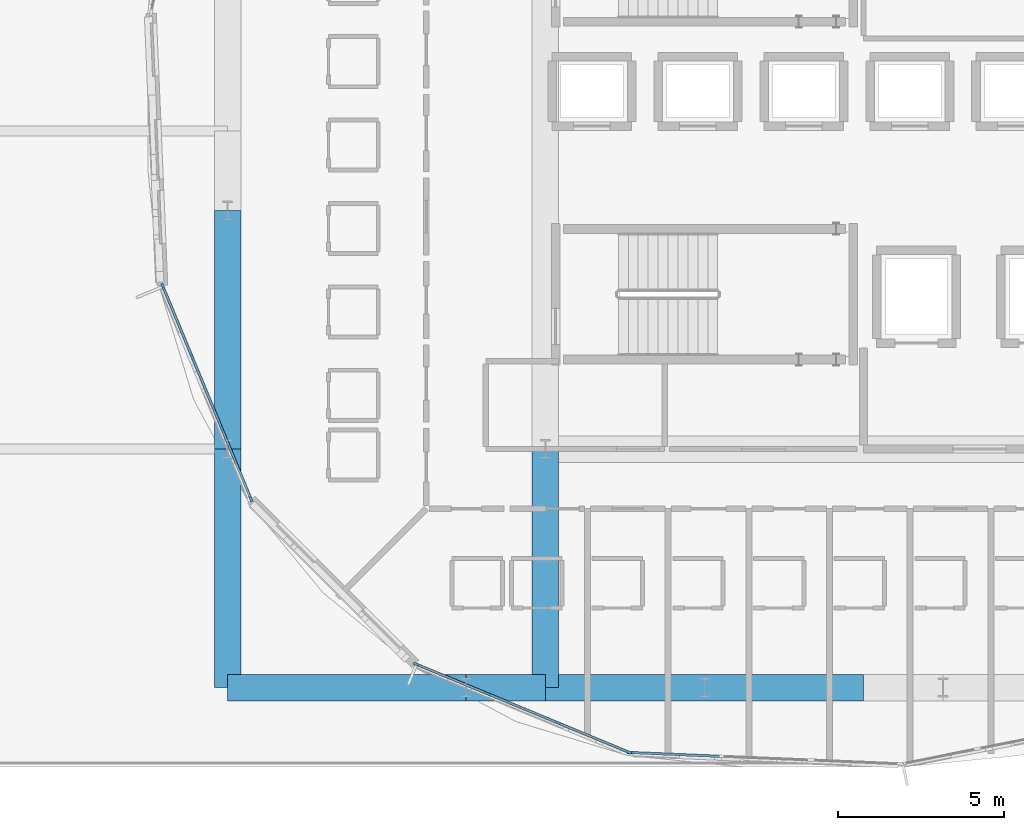
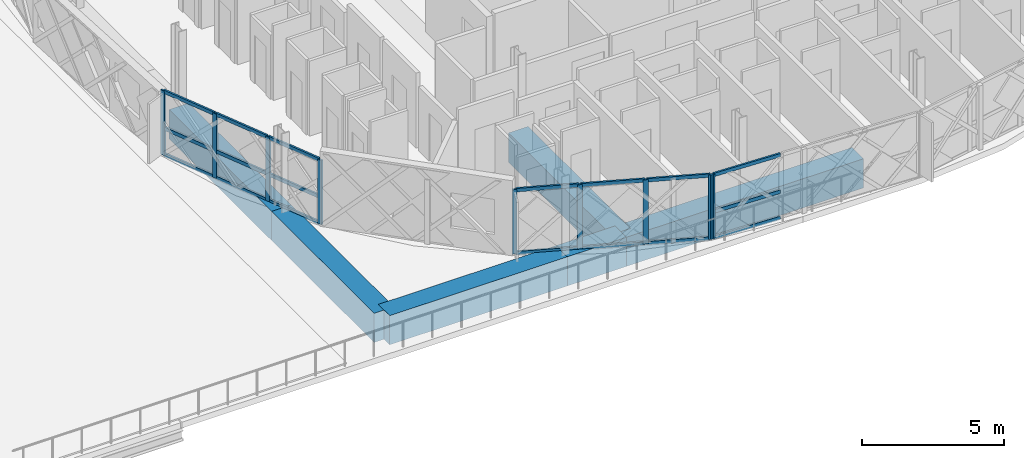
# One storey, part 10 of 53: 27 members, 6 beams, 3 elements without a shape of their own.
"""IFC4 building model written with IfcOpenShell, lengths in metres."""

from ifc_helpers import new_model, si_unit, direction, frame, origin, origin_2d, place, context, subcontext, project, spatial, rectangle, extrude, material, layer, layer_set, material_profile, profile_set, type_object, element, aggregate, save


model = new_model("IFC4")

# Units and contexts
model_context = context("Model", 3, precision=1e-05, world=origin(), true_north=direction((0.0, 1.0)))
body_context = subcontext(model_context, "Body", "Model", "MODEL_VIEW")
ifc_project = project(units=[si_unit("LENGTHUNIT", "METRE"), si_unit("AREAUNIT", "SQUARE_METRE"), si_unit("VOLUMEUNIT", "CUBIC_METRE"), si_unit("PLANEANGLEUNIT", "RADIAN"), si_unit("MASSUNIT", "GRAM", prefix="KILO")], contexts=[model_context])

# Site, building, storey
site_placement = place(None, origin())
site = spatial("IfcSite", under=ifc_project, at=site_placement, CompositionType="ELEMENT")
building_placement = place(site_placement, origin())
building = spatial("IfcBuilding", under=site, at=building_placement, Name="Zevrakil Square Congress Hotel", CompositionType="ELEMENT")
storey_placement = place(building_placement, frame((0.0, 0.0, 14.699951171875)))
storey = spatial("IfcBuildingStorey", under=building, at=storey_placement, Name="L04", CompositionType="ELEMENT", Elevation=14.699951171875)

# Beams
ifc_material_1 = material(Name="Concrete C40/50", Category="concrete")
ifc_material_profile_1 = material_profile(ifc_material_1, rectangle(XDim=0.800048828125, YDim=1.25, at=origin_2d()), Name="RC 800x1250")
ifc_profile_set_1 = profile_set([ifc_material_profile_1], Name="Concrete C40/50")
beam_type = type_object("IfcBeamType", Name="BM-RC800x1250", PredefinedType="BEAM", material=ifc_profile_set_1)
beam_1_placement = place(storey_placement, frame((127.199951171875, 9.60009765625, -0.625), z_axis=(1.0, 0.0, 0.0), x_axis=(0.0, 1.0, 0.0)))
element("IfcBeam", 1, at=beam_1_placement, inside=storey, type_object=beam_type, Name="L04 drum transfer girder TB-001", PredefinedType="BEAM", context=body_context, shape_type="SweptSolid", body=[
    extrude(rectangle(XDim=0.800048828125, YDim=1.25, at=origin_2d()), origin(), (0.0, 0.0, 1.0), 7.199951171875),
])
beam_2_placement = place(storey_placement, frame((134.39990234375, 9.60009765625, -0.625), z_axis=(1.0, 0.0, 0.0), x_axis=(0.0, 1.0, 0.0)))
element("IfcBeam", 2, at=beam_2_placement, inside=storey, type_object=beam_type, Name="L04 drum transfer girder TB-003", PredefinedType="BEAM", context=body_context, shape_type="SweptSolid", body=[
    extrude(rectangle(XDim=0.800048828125, YDim=1.25, at=origin_2d()), origin(), (0.0, 0.0, 1.0), 2.400146484375),
])
beam_3_placement = place(storey_placement, frame((136.800048828125, 9.60009765625, -0.625), z_axis=(1.0, 0.0, 0.0), x_axis=(0.0, 1.0, 0.0)))
element("IfcBeam", 3, at=beam_3_placement, inside=storey, type_object=beam_type, Name="L04 drum transfer girder TB-005", PredefinedType="BEAM", context=body_context, shape_type="SweptSolid", body=[
    extrude(rectangle(XDim=0.800048828125, YDim=1.25, at=origin_2d()), origin(), (0.0, 0.0, 1.0), 9.599853515625),
])
for number, where, z_axis, x_axis, name in (
    (4, (127.199951171875, 9.60009765625, -0.625), (0.0, 1.0, 0.0), (-1.0, 0.0, 0.0), "L04 drum transfer girder TB-011"),
    (5, (127.199951171875, 16.800048828125, -0.625), (0.0, 1.0, 0.0), (-1.0, 0.0, 0.0), "L04 drum transfer girder TB-012"),
    (6, (136.800048828125, 9.60009765625, -0.625), (0.0, 1.0, 0.0), (-1.0, 0.0, 0.0), "L04 drum transfer girder TB-027"),
):
    element("IfcBeam", number, at=place(storey_placement, frame(where, z_axis=z_axis, x_axis=x_axis)), inside=storey, type_object=beam_type, Name=name, PredefinedType="BEAM", context=body_context, shape_type="SweptSolid", body=[
        extrude(rectangle(XDim=0.800048828125, YDim=1.25, at=origin_2d()), origin(), (0.0, 0.0, 1.0), 7.199951171875),
    ])

# Curtain wall, members
ifc_material_2 = material(Name="Aluminium Anodised Bronze", Category="aluminium")
ifc_layer_1 = layer(ifc_material_2, 0.179931640625)
ifc_layer_set_1 = layer_set([ifc_layer_1], Name="Aluminium Anodised Bronze")
curtain_wall_type_1 = type_object("IfcCurtainWallType", Name="CW-L04-720", PredefinedType="USERDEFINED", material=ifc_layer_set_1)
curtain_wall_1_placement = place(storey_placement, origin())
curtain_wall_1 = element("IfcCurtainWall", 7, at=curtain_wall_1_placement, inside=storey, type_object=curtain_wall_type_1, Name="L04 diamond curtain wall CW-L04-0180", ObjectType="GLAZED CURTAIN WALL", PredefinedType="USERDEFINED")
ifc_material_3 = material(Name="Aluminium Anodised Bronze", Category="aluminium")
ifc_material_profile_2 = material_profile(ifc_material_3, rectangle(XDim=0.074951171875, YDim=0.14990234375, at=origin_2d()), Name="ALU 75x150")
ifc_profile_set_2 = profile_set([ifc_material_profile_2], Name="Aluminium Anodised Bronze")
member_type_1 = type_object("IfcMemberType", Name="CWM-ALU75x150", PredefinedType="USERDEFINED", material=ifc_profile_set_2)
member_1_placement = place(storey_placement, frame((125.258056640625, 21.686767578125, 0.030029296875), z_axis=(0.382630285552, -0.923901544851, 0.0), x_axis=(0.923901544851, 0.382630285552, 0.0)))
member_1 = element("IfcMember", 8, at=member_1_placement, type_object=member_type_1, Name="CW-46 transom 1.1", ObjectType="TRANSOM", PredefinedType="USERDEFINED", context=body_context, shape_type="SweptSolid", body=[
    extrude(rectangle(XDim=0.074951171875, YDim=0.14990234375, at=origin_2d()), origin(), (0.0, 0.0, 1.0), 2.245361328125),
])
member_2_placement = place(storey_placement, frame((125.258056640625, 21.686767578125, 1.1591796875), z_axis=(0.382630285552, -0.923901544851, 0.0), x_axis=(0.923901544851, 0.382630285552, 0.0)))
member_2 = element("IfcMember", 9, at=member_2_placement, type_object=member_type_1, Name="CW-46 transom 1.2", ObjectType="TRANSOM", PredefinedType="USERDEFINED", context=body_context, shape_type="SweptSolid", body=[
    extrude(rectangle(XDim=0.074951171875, YDim=0.14990234375, at=origin_2d()), origin(), (0.0, 0.0, 1.0), 2.245361328125),
])
member_3_placement = place(storey_placement, frame((125.258056640625, 21.686767578125, 2.72998046875), z_axis=(0.382630285552, -0.923901544851, 0.0), x_axis=(0.923901544851, 0.382630285552, 0.0)))
member_3 = element("IfcMember", 10, at=member_3_placement, type_object=member_type_1, Name="CW-46 transom 1.3", ObjectType="TRANSOM", PredefinedType="USERDEFINED", context=body_context, shape_type="SweptSolid", body=[
    extrude(rectangle(XDim=0.074951171875, YDim=0.14990234375, at=origin_2d()), origin(), (0.0, 0.0, 1.0), 2.245361328125),
])
member_4_placement = place(storey_placement, frame((126.14013671875, 19.556884765625, 0.030029296875), z_axis=(0.382648740238, -0.923893901698, 0.0), x_axis=(0.923893901698, 0.382648740238, 0.0)))
member_4 = element("IfcMember", 11, at=member_4_placement, type_object=member_type_1, Name="CW-46 transom 2.1", ObjectType="TRANSOM", PredefinedType="USERDEFINED", context=body_context, shape_type="SweptSolid", body=[
    extrude(rectangle(XDim=0.074951171875, YDim=0.14990234375, at=origin_2d()), origin(), (0.0, 0.0, 1.0), 2.275146484375),
])
member_5_placement = place(storey_placement, frame((126.14013671875, 19.556884765625, 1.1591796875), z_axis=(0.382648740238, -0.923893901698, 0.0), x_axis=(0.923893901698, 0.382648740238, 0.0)))
member_5 = element("IfcMember", 12, at=member_5_placement, type_object=member_type_1, Name="CW-46 transom 2.2", ObjectType="TRANSOM", PredefinedType="USERDEFINED", context=body_context, shape_type="SweptSolid", body=[
    extrude(rectangle(XDim=0.074951171875, YDim=0.14990234375, at=origin_2d()), origin(), (0.0, 0.0, 1.0), 2.275146484375),
])
member_6_placement = place(storey_placement, frame((126.14013671875, 19.556884765625, 2.72998046875), z_axis=(0.382648740238, -0.923893901698, 0.0), x_axis=(0.923893901698, 0.382648740238, 0.0)))
member_6 = element("IfcMember", 13, at=member_6_placement, type_object=member_type_1, Name="CW-46 transom 2.3", ObjectType="TRANSOM", PredefinedType="USERDEFINED", context=body_context, shape_type="SweptSolid", body=[
    extrude(rectangle(XDim=0.074951171875, YDim=0.14990234375, at=origin_2d()), origin(), (0.0, 0.0, 1.0), 2.275146484375),
])
member_7_placement = place(storey_placement, frame((127.033935546875, 17.3994140625, 0.030029296875), z_axis=(0.382668727465, -0.923885623343, 0.0), x_axis=(0.923885623343, 0.382668727465, 0.0)))
member_7 = element("IfcMember", 14, at=member_7_placement, type_object=member_type_1, Name="CW-46 transom 3.1", ObjectType="TRANSOM", PredefinedType="USERDEFINED", context=body_context, shape_type="SweptSolid", body=[
    extrude(rectangle(XDim=0.074951171875, YDim=0.14990234375, at=origin_2d()), origin(), (0.0, 0.0, 1.0), 2.2451171875),
])
member_8_placement = place(storey_placement, frame((127.033935546875, 17.3994140625, 1.1591796875), z_axis=(0.382668727465, -0.923885623343, 0.0), x_axis=(0.923885623343, 0.382668727465, 0.0)))
member_8 = element("IfcMember", 15, at=member_8_placement, type_object=member_type_1, Name="CW-46 transom 3.2", ObjectType="TRANSOM", PredefinedType="USERDEFINED", context=body_context, shape_type="SweptSolid", body=[
    extrude(rectangle(XDim=0.074951171875, YDim=0.14990234375, at=origin_2d()), origin(), (0.0, 0.0, 1.0), 2.2451171875),
])
member_9_placement = place(storey_placement, frame((127.033935546875, 17.3994140625, 2.72998046875), z_axis=(0.382668727465, -0.923885623343, 0.0), x_axis=(0.923885623343, 0.382668727465, 0.0)))
member_9 = element("IfcMember", 16, at=member_9_placement, type_object=member_type_1, Name="CW-46 transom 3.3", ObjectType="TRANSOM", PredefinedType="USERDEFINED", context=body_context, shape_type="SweptSolid", body=[
    extrude(rectangle(XDim=0.074951171875, YDim=0.14990234375, at=origin_2d()), origin(), (0.0, 0.0, 1.0), 2.2451171875),
])

curtain_wall_2_placement = place(storey_placement, origin())
curtain_wall_2 = element("IfcCurtainWall", 17, at=curtain_wall_2_placement, inside=storey, type_object=curtain_wall_type_1, Name="L04 diamond curtain wall CW-L04-0181", ObjectType="GLAZED CURTAIN WALL", PredefinedType="USERDEFINED")
member_10_placement = place(storey_placement, frame((132.925048828125, 10.29296875, 0.030029296875), z_axis=(0.923901544851, -0.382630285552, 0.0), x_axis=(0.382630285552, 0.923901544851, 0.0)))
member_10 = element("IfcMember", 18, at=member_10_placement, type_object=member_type_1, Name="CW-46 transom 1.1", ObjectType="TRANSOM", PredefinedType="USERDEFINED", context=body_context, shape_type="SweptSolid", body=[
    extrude(rectangle(XDim=0.074951171875, YDim=0.14990234375, at=origin_2d()), origin(), (0.0, 0.0, 1.0), 2.245361328125),
])
member_11_placement = place(storey_placement, frame((132.925048828125, 10.29296875, 2.72998046875), z_axis=(0.923901544851, -0.382630285552, 0.0), x_axis=(0.382630285552, 0.923901544851, 0.0)))
member_11 = element("IfcMember", 19, at=member_11_placement, type_object=member_type_1, Name="CW-46 transom 1.2", ObjectType="TRANSOM", PredefinedType="USERDEFINED", context=body_context, shape_type="SweptSolid", body=[
    extrude(rectangle(XDim=0.074951171875, YDim=0.14990234375, at=origin_2d()), origin(), (0.0, 0.0, 1.0), 2.245361328125),
])
member_12_placement = place(storey_placement, frame((135.054931640625, 9.410888671875, 0.030029296875), z_axis=(0.923855963606, -0.38274032778, 0.0), x_axis=(0.38274032778, 0.923855963606, 0.0)))
member_12 = element("IfcMember", 20, at=member_12_placement, type_object=member_type_1, Name="CW-46 transom 2.1", ObjectType="TRANSOM", PredefinedType="USERDEFINED", context=body_context, shape_type="SweptSolid", body=[
    extrude(rectangle(XDim=0.074951171875, YDim=0.14990234375, at=origin_2d()), origin(), (0.0, 0.0, 1.0), 2.275390625),
])
member_13_placement = place(storey_placement, frame((135.054931640625, 9.410888671875, 2.72998046875), z_axis=(0.923855963606, -0.38274032778, 0.0), x_axis=(0.38274032778, 0.923855963606, 0.0)))
member_13 = element("IfcMember", 21, at=member_13_placement, type_object=member_type_1, Name="CW-46 transom 2.2", ObjectType="TRANSOM", PredefinedType="USERDEFINED", context=body_context, shape_type="SweptSolid", body=[
    extrude(rectangle(XDim=0.074951171875, YDim=0.14990234375, at=origin_2d()), origin(), (0.0, 0.0, 1.0), 2.275390625),
])
member_14_placement = place(storey_placement, frame((137.21240234375, 8.51708984375, 0.030029296875), z_axis=(0.923901544851, -0.382630285552, 0.0), x_axis=(0.382630285552, 0.923901544851, 0.0)))
member_14 = element("IfcMember", 22, at=member_14_placement, type_object=member_type_1, Name="CW-46 transom 3.1", ObjectType="TRANSOM", PredefinedType="USERDEFINED", context=body_context, shape_type="SweptSolid", body=[
    extrude(rectangle(XDim=0.074951171875, YDim=0.14990234375, at=origin_2d()), origin(), (0.0, 0.0, 1.0), 2.245361328125),
])
member_15_placement = place(storey_placement, frame((137.21240234375, 8.51708984375, 2.72998046875), z_axis=(0.923901544851, -0.382630285552, 0.0), x_axis=(0.382630285552, 0.923901544851, 0.0)))
member_15 = element("IfcMember", 23, at=member_15_placement, type_object=member_type_1, Name="CW-46 transom 3.2", ObjectType="TRANSOM", PredefinedType="USERDEFINED", context=body_context, shape_type="SweptSolid", body=[
    extrude(rectangle(XDim=0.074951171875, YDim=0.14990234375, at=origin_2d()), origin(), (0.0, 0.0, 1.0), 2.245361328125),
])

ifc_material_4 = material(Name="Aluminium Anodised Bronze", Category="aluminium")
ifc_layer_2 = layer(ifc_material_4, 0.179931640625)
ifc_layer_set_2 = layer_set([ifc_layer_2], Name="Aluminium Anodised Bronze")
curtain_wall_type_2 = type_object("IfcCurtainWallType", Name="CW-L04-840", PredefinedType="USERDEFINED", material=ifc_layer_set_2)
curtain_wall_3_placement = place(storey_placement, origin())
curtain_wall_3 = element("IfcCurtainWall", 24, at=curtain_wall_3_placement, inside=storey, type_object=curtain_wall_type_2, Name="L04 diamond curtain wall CW-L04-0182", ObjectType="GLAZED CURTAIN WALL", PredefinedType="USERDEFINED")
member_16_placement = place(storey_placement, frame((139.402099609375, 7.632568359375, 0.030029296875), z_axis=(0.999117194187, -0.04200990692, 0.0), x_axis=(0.04200990692, 0.999117194187, 0.0)))
member_16 = element("IfcMember", 25, at=member_16_placement, type_object=member_type_1, Name="CW-47 transom 1.1", ObjectType="TRANSOM", PredefinedType="USERDEFINED", context=body_context, shape_type="SweptSolid", body=[
    extrude(rectangle(XDim=0.074951171875, YDim=0.14990234375, at=origin_2d()), origin(), (0.0, 0.0, 1.0), 2.650146484375),
])
member_17_placement = place(storey_placement, frame((139.402099609375, 7.632568359375, 1.155029296875), z_axis=(0.999117194187, -0.04200990692, 0.0), x_axis=(0.04200990692, 0.999117194187, 0.0)))
member_17 = element("IfcMember", 26, at=member_17_placement, type_object=member_type_1, Name="CW-47 transom 1.2", ObjectType="TRANSOM", PredefinedType="USERDEFINED", context=body_context, shape_type="SweptSolid", body=[
    extrude(rectangle(XDim=0.074951171875, YDim=0.14990234375, at=origin_2d()), origin(), (0.0, 0.0, 1.0), 2.650146484375),
])
member_18_placement = place(storey_placement, frame((139.402099609375, 7.632568359375, 2.719970703125), z_axis=(0.999117194187, -0.04200990692, 0.0), x_axis=(0.04200990692, 0.999117194187, 0.0)))
member_18 = element("IfcMember", 27, at=member_18_placement, type_object=member_type_1, Name="CW-47 transom 1.3", ObjectType="TRANSOM", PredefinedType="USERDEFINED", context=body_context, shape_type="SweptSolid", body=[
    extrude(rectangle(XDim=0.074951171875, YDim=0.14990234375, at=origin_2d()), origin(), (0.0, 0.0, 1.0), 2.650146484375),
])

# Member
ifc_material_5 = material(Name="Aluminium Anodised Bronze", Category="aluminium")
ifc_material_profile_3 = material_profile(ifc_material_5, rectangle(XDim=0.074951171875, YDim=0.179931640625, at=origin_2d()), Name="ALU 75x180")
ifc_profile_set_3 = profile_set([ifc_material_profile_3], Name="Aluminium Anodised Bronze")
member_type_2 = type_object("IfcMemberType", Name="CWM-ALU75x180", PredefinedType="MULLION", material=ifc_profile_set_3)
member_19_placement = place(storey_placement, frame((125.24658203125, 21.714599609375, 0.0), z_axis=(0.0, 0.0, 1.0), x_axis=(0.92387939537, 0.382683763454, 0.0)))
member_19 = element("IfcMember", 28, at=member_19_placement, type_object=member_type_2, Name="CW-46 mullion 1", PredefinedType="MULLION", context=body_context, shape_type="SweptSolid", body=[
    extrude(rectangle(XDim=0.074951171875, YDim=0.179931640625, at=origin_2d()), origin(), (0.0, 0.0, 1.0), 2.760009765625),
])

member_20_placement = place(storey_placement, frame((126.128662109375, 19.584716796875, 0.0), z_axis=(0.0, 0.0, 1.0), x_axis=(0.92387939537, 0.382683763454, 0.0)))
member_20 = element("IfcMember", 29, at=member_20_placement, type_object=member_type_2, Name="CW-46 mullion 2", PredefinedType="MULLION", context=body_context, shape_type="SweptSolid", body=[
    extrude(rectangle(XDim=0.074951171875, YDim=0.179931640625, at=origin_2d()), origin(), (0.0, 0.0, 1.0), 2.760009765625),
])

member_21_placement = place(storey_placement, frame((127.022216796875, 17.42724609375, 0.0), z_axis=(0.0, 0.0, 1.0), x_axis=(0.92387939537, 0.382683763454, 0.0)))
member_21 = element("IfcMember", 30, at=member_21_placement, type_object=member_type_2, Name="CW-46 mullion 3", PredefinedType="MULLION", context=body_context, shape_type="SweptSolid", body=[
    extrude(rectangle(XDim=0.074951171875, YDim=0.179931640625, at=origin_2d()), origin(), (0.0, 0.0, 1.0), 2.760009765625),
])

member_22_placement = place(storey_placement, frame((127.904541015625, 15.29736328125, 0.0), z_axis=(0.0, 0.0, 1.0), x_axis=(0.92387939537, 0.382683763454, 0.0)))
member_22 = element("IfcMember", 31, at=member_22_placement, type_object=member_type_2, Name="CW-46 mullion 4", PredefinedType="MULLION", context=body_context, shape_type="SweptSolid", body=[
    extrude(rectangle(XDim=0.074951171875, YDim=0.179931640625, at=origin_2d()), origin(), (0.0, 0.0, 1.0), 2.760009765625),
])

aggregate(curtain_wall_1, [member_19, member_20, member_21, member_22, member_1, member_2, member_3, member_4, member_5, member_6, member_7, member_8, member_9])

member_23_placement = place(storey_placement, frame((132.8974609375, 10.304443359375, 0.0), z_axis=(0.0, 0.0, 1.0), x_axis=(0.382683763454, 0.92387939537, 0.0)))
member_23 = element("IfcMember", 32, at=member_23_placement, type_object=member_type_2, Name="CW-46 mullion 1", PredefinedType="MULLION", context=body_context, shape_type="SweptSolid", body=[
    extrude(rectangle(XDim=0.074951171875, YDim=0.179931640625, at=origin_2d()), origin(), (0.0, 0.0, 1.0), 2.760009765625),
])

member_24_placement = place(storey_placement, frame((135.027099609375, 9.42236328125, 0.0), z_axis=(0.0, 0.0, 1.0), x_axis=(0.382683763454, 0.92387939537, 0.0)))
member_24 = element("IfcMember", 33, at=member_24_placement, type_object=member_type_2, Name="CW-46 mullion 2", PredefinedType="MULLION", context=body_context, shape_type="SweptSolid", body=[
    extrude(rectangle(XDim=0.074951171875, YDim=0.179931640625, at=origin_2d()), origin(), (0.0, 0.0, 1.0), 2.760009765625),
])

member_25_placement = place(storey_placement, frame((137.184814453125, 8.528564453125, 0.0), z_axis=(0.0, 0.0, 1.0), x_axis=(0.382683763454, 0.92387939537, 0.0)))
member_25 = element("IfcMember", 34, at=member_25_placement, type_object=member_type_2, Name="CW-46 mullion 3", PredefinedType="MULLION", context=body_context, shape_type="SweptSolid", body=[
    extrude(rectangle(XDim=0.074951171875, YDim=0.179931640625, at=origin_2d()), origin(), (0.0, 0.0, 1.0), 2.760009765625),
])

member_26_placement = place(storey_placement, frame((139.314453125, 7.646484375, 0.0), z_axis=(0.0, 0.0, 1.0), x_axis=(0.382683763454, 0.92387939537, 0.0)))
member_26 = element("IfcMember", 35, at=member_26_placement, type_object=member_type_2, Name="CW-46 mullion 4", PredefinedType="MULLION", context=body_context, shape_type="SweptSolid", body=[
    extrude(rectangle(XDim=0.074951171875, YDim=0.179931640625, at=origin_2d()), origin(), (0.0, 0.0, 1.0), 2.760009765625),
])

aggregate(curtain_wall_2, [member_23, member_24, member_25, member_26, member_10, member_11, member_12, member_13, member_14, member_15])

member_27_placement = place(storey_placement, frame((139.3720703125, 7.6337890625, 0.0), z_axis=(0.0, 0.0, 1.0), x_axis=(0.041970582763, 0.999118846876, 0.0)))
member_27 = element("IfcMember", 36, at=member_27_placement, type_object=member_type_2, Name="CW-47 mullion 1", PredefinedType="MULLION", context=body_context, shape_type="SweptSolid", body=[
    extrude(rectangle(XDim=0.074951171875, YDim=0.179931640625, at=origin_2d()), origin(), (0.0, 0.0, 1.0), 2.75),
])

aggregate(curtain_wall_3, [member_27, member_16, member_17, member_18])

save(model, "model.ifc")
